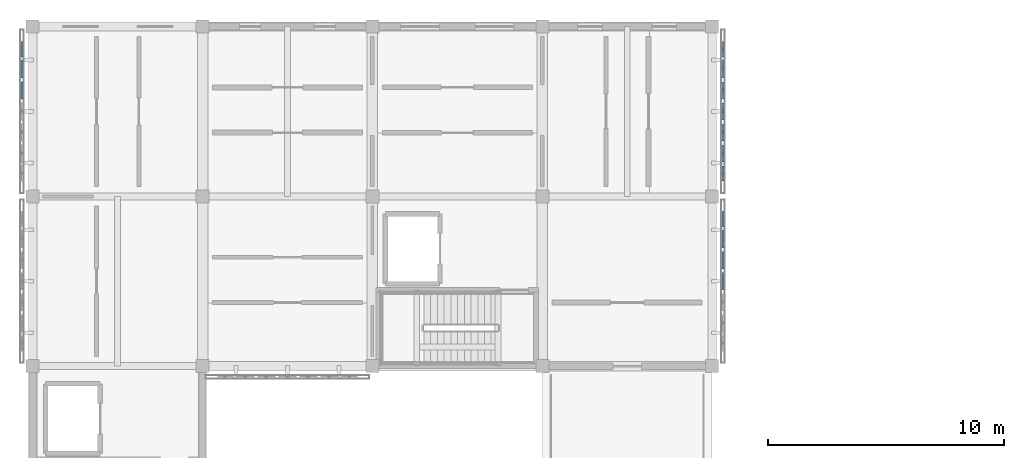
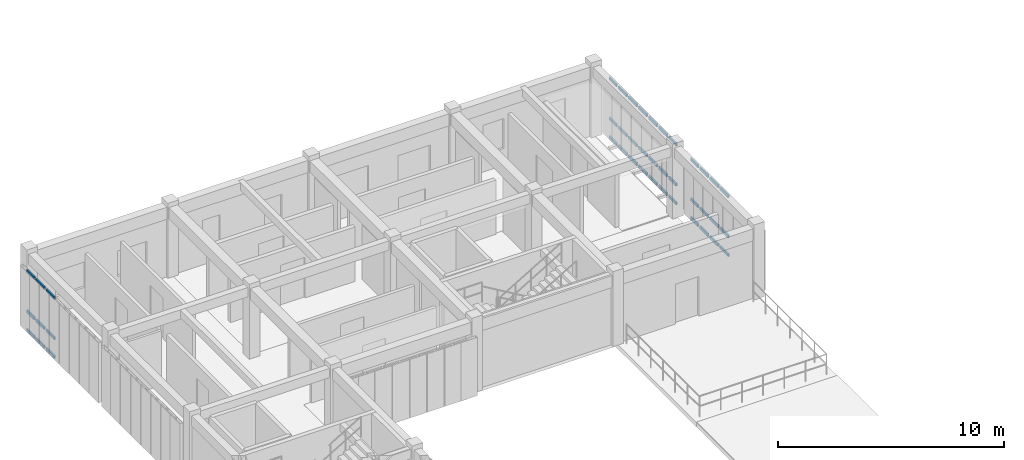
# One storey, part 10 of 33: 42 members, 3 elements without a shape of their own.
"""IFC4 building model written with IfcOpenShell, lengths in metres."""

from ifc_helpers import new_model, si_unit, direction, frame, origin, origin_2d, place, context, subcontext, project, spatial, hollow_rectangle, extrude, material, material_profile, profile_set, type_object, element, aggregate, save


model = new_model("IFC4")

# Units and contexts
model_context = context("Model", 3, precision=1e-05, world=origin(), true_north=direction((0.0, 1.0)))
body_context = subcontext(model_context, "Body", "Model", "MODEL_VIEW")
ifc_project = project(units=[si_unit("LENGTHUNIT", "METRE"), si_unit("AREAUNIT", "SQUARE_METRE"), si_unit("VOLUMEUNIT", "CUBIC_METRE"), si_unit("PLANEANGLEUNIT", "RADIAN"), si_unit("MASSUNIT", "GRAM", prefix="KILO")], contexts=[model_context])

# Site, building, storey
site_placement = place(None, origin())
site = spatial("IfcSite", under=ifc_project, at=site_placement, CompositionType="ELEMENT")
building_placement = place(site_placement, origin())
building = spatial("IfcBuilding", under=site, at=building_placement, Name="Aldebral Square Health Centre", CompositionType="ELEMENT")
storey_placement = place(building_placement, frame((0.0, 0.0, 17.550048828125)))
storey = spatial("IfcBuildingStorey", under=building, at=storey_placement, Name="L04", CompositionType="ELEMENT", Elevation=17.550048828125)

# Curtain wall, members
ifc_material_1 = material(Name="Aluminium and low-E solar glass", Category="aluminium")
curtain_wall_type = type_object("IfcCurtainWallType", Name="CW-FIN-SYS", PredefinedType="USERDEFINED", material=ifc_material_1)
curtain_wall_1_placement = place(storey_placement, origin())
curtain_wall_1 = element("IfcCurtainWall", 1, at=curtain_wall_1_placement, inside=storey, type_object=curtain_wall_type, Name="L04 V4 finned curtain wall L04-V4-00-15-W", ObjectType="SOLAR_CURTAIN_WALL", PredefinedType="USERDEFINED")
ifc_material_2 = material(Name="Anodised aluminium transom", Category="aluminium")
ifc_material_profile = material_profile(ifc_material_2, hollow_rectangle(XDim=0.074951171875, YDim=0.14990234375, WallThickness=0.00390625, at=origin_2d()), Name="CWT 75x150x4")
ifc_profile_set = profile_set([ifc_material_profile], Name="Anodised aluminium transom")
member_type = type_object("IfcMemberType", Name="CWT-STD", PredefinedType="USERDEFINED", material=ifc_profile_set)
member_1_placement = place(storey_placement, frame((-0.4599609375, 114.56005859375, 0.037353515625), z_axis=(0.0, -1.0, 0.0), x_axis=(1.0, 0.0, 0.0)))
member_1 = element("IfcMember", 2, at=member_1_placement, type_object=member_type, Name="CW1 transom 1.1", ObjectType="TRANSOM", PredefinedType="USERDEFINED", context=body_context, shape_type="SweptSolid", body=[
    extrude(hollow_rectangle(XDim=0.074951171875, YDim=0.14990234375, WallThickness=0.00390625, at=origin_2d()), origin(), (0.0, 0.0, 1.0), 0.6513671875),
])
member_2_placement = place(storey_placement, frame((-0.4599609375, 114.56005859375, 1.050048828125), z_axis=(0.0, -1.0, 0.0), x_axis=(1.0, 0.0, 0.0)))
member_2 = element("IfcMember", 3, at=member_2_placement, type_object=member_type, Name="CW1 transom 1.2", ObjectType="TRANSOM", PredefinedType="USERDEFINED", context=body_context, shape_type="SweptSolid", body=[
    extrude(hollow_rectangle(XDim=0.074951171875, YDim=0.14990234375, WallThickness=0.00390625, at=origin_2d()), origin(), (0.0, 0.0, 1.0), 0.6513671875),
])
member_3_placement = place(storey_placement, frame((-0.4599609375, 114.56005859375, 3.21240234375), z_axis=(0.0, -1.0, 0.0), x_axis=(1.0, 0.0, 0.0)))
member_3 = element("IfcMember", 4, at=member_3_placement, type_object=member_type, Name="CW1 transom 1.3", ObjectType="TRANSOM", PredefinedType="USERDEFINED", context=body_context, shape_type="SweptSolid", body=[
    extrude(hollow_rectangle(XDim=0.074951171875, YDim=0.14990234375, WallThickness=0.00390625, at=origin_2d()), origin(), (0.0, 0.0, 1.0), 0.6513671875),
])
member_4_placement = place(storey_placement, frame((-0.4599609375, 113.74853515625, 0.037353515625), z_axis=(0.0, -1.0, 0.0), x_axis=(1.0, 0.0, 0.0)))
member_4 = element("IfcMember", 5, at=member_4_placement, type_object=member_type, Name="CW1 transom 2.1", ObjectType="TRANSOM", PredefinedType="USERDEFINED", context=body_context, shape_type="SweptSolid", body=[
    extrude(hollow_rectangle(XDim=0.074951171875, YDim=0.14990234375, WallThickness=0.00390625, at=origin_2d()), origin(), (0.0, 0.0, 1.0), 0.7314453125),
])
member_5_placement = place(storey_placement, frame((-0.4599609375, 113.74853515625, 1.050048828125), z_axis=(0.0, -1.0, 0.0), x_axis=(1.0, 0.0, 0.0)))
member_5 = element("IfcMember", 6, at=member_5_placement, type_object=member_type, Name="CW1 transom 2.2", ObjectType="TRANSOM", PredefinedType="USERDEFINED", context=body_context, shape_type="SweptSolid", body=[
    extrude(hollow_rectangle(XDim=0.074951171875, YDim=0.14990234375, WallThickness=0.00390625, at=origin_2d()), origin(), (0.0, 0.0, 1.0), 0.7314453125),
])
member_6_placement = place(storey_placement, frame((-0.4599609375, 113.74853515625, 3.21240234375), z_axis=(0.0, -1.0, 0.0), x_axis=(1.0, 0.0, 0.0)))
member_6 = element("IfcMember", 7, at=member_6_placement, type_object=member_type, Name="CW1 transom 2.3", ObjectType="TRANSOM", PredefinedType="USERDEFINED", context=body_context, shape_type="SweptSolid", body=[
    extrude(hollow_rectangle(XDim=0.074951171875, YDim=0.14990234375, WallThickness=0.00390625, at=origin_2d()), origin(), (0.0, 0.0, 1.0), 0.7314453125),
])
member_7_placement = place(storey_placement, frame((-0.4599609375, 112.857177734375, 0.037353515625), z_axis=(0.0, -1.0, 0.0), x_axis=(1.0, 0.0, 0.0)))
member_7 = element("IfcMember", 8, at=member_7_placement, type_object=member_type, Name="CW1 transom 3.1", ObjectType="TRANSOM", PredefinedType="USERDEFINED", context=body_context, shape_type="SweptSolid", body=[
    extrude(hollow_rectangle(XDim=0.074951171875, YDim=0.14990234375, WallThickness=0.00390625, at=origin_2d()), origin(), (0.0, 0.0, 1.0), 0.7314453125),
])
member_8_placement = place(storey_placement, frame((-0.4599609375, 112.857177734375, 1.050048828125), z_axis=(0.0, -1.0, 0.0), x_axis=(1.0, 0.0, 0.0)))
member_8 = element("IfcMember", 9, at=member_8_placement, type_object=member_type, Name="CW1 transom 3.2", ObjectType="TRANSOM", PredefinedType="USERDEFINED", context=body_context, shape_type="SweptSolid", body=[
    extrude(hollow_rectangle(XDim=0.074951171875, YDim=0.14990234375, WallThickness=0.00390625, at=origin_2d()), origin(), (0.0, 0.0, 1.0), 0.7314453125),
])
member_9_placement = place(storey_placement, frame((-0.4599609375, 112.857177734375, 3.21240234375), z_axis=(0.0, -1.0, 0.0), x_axis=(1.0, 0.0, 0.0)))
member_9 = element("IfcMember", 10, at=member_9_placement, type_object=member_type, Name="CW1 transom 3.3", ObjectType="TRANSOM", PredefinedType="USERDEFINED", context=body_context, shape_type="SweptSolid", body=[
    extrude(hollow_rectangle(XDim=0.074951171875, YDim=0.14990234375, WallThickness=0.00390625, at=origin_2d()), origin(), (0.0, 0.0, 1.0), 0.7314453125),
])
aggregate(curtain_wall_1, [member_1, member_2, member_3, member_4, member_5, member_6, member_7, member_8, member_9])

curtain_wall_2_placement = place(storey_placement, origin())
curtain_wall_2 = element("IfcCurtainWall", 11, at=curtain_wall_2_placement, inside=storey, type_object=curtain_wall_type, Name="L04 V4 finned curtain wall L04-V4-03-14-E", ObjectType="SOLAR_CURTAIN_WALL", PredefinedType="USERDEFINED")
member_10_placement = place(storey_placement, frame((29.260009765625, 104.0341796875, 0.037353515625), z_axis=(0.0, 1.0, 0.0), x_axis=(-1.0, 0.0, 0.0)))
member_10 = element("IfcMember", 12, at=member_10_placement, type_object=member_type, Name="CW1 transom 4.1", ObjectType="TRANSOM", PredefinedType="USERDEFINED", context=body_context, shape_type="SweptSolid", body=[
    extrude(hollow_rectangle(XDim=0.074951171875, YDim=0.14990234375, WallThickness=0.00390625, at=origin_2d()), origin(), (0.0, 0.0, 1.0), 0.7314453125),
])
member_11_placement = place(storey_placement, frame((29.260009765625, 104.0341796875, 1.050048828125), z_axis=(0.0, 1.0, 0.0), x_axis=(-1.0, 0.0, 0.0)))
member_11 = element("IfcMember", 13, at=member_11_placement, type_object=member_type, Name="CW1 transom 4.2", ObjectType="TRANSOM", PredefinedType="USERDEFINED", context=body_context, shape_type="SweptSolid", body=[
    extrude(hollow_rectangle(XDim=0.074951171875, YDim=0.14990234375, WallThickness=0.00390625, at=origin_2d()), origin(), (0.0, 0.0, 1.0), 0.7314453125),
])
member_12_placement = place(storey_placement, frame((29.260009765625, 104.0341796875, 3.21240234375), z_axis=(0.0, 1.0, 0.0), x_axis=(-1.0, 0.0, 0.0)))
member_12 = element("IfcMember", 14, at=member_12_placement, type_object=member_type, Name="CW1 transom 4.3", ObjectType="TRANSOM", PredefinedType="USERDEFINED", context=body_context, shape_type="SweptSolid", body=[
    extrude(hollow_rectangle(XDim=0.074951171875, YDim=0.14990234375, WallThickness=0.00390625, at=origin_2d()), origin(), (0.0, 0.0, 1.0), 0.7314453125),
])
member_13_placement = place(storey_placement, frame((29.260009765625, 104.92578125, 0.037353515625), z_axis=(0.0, 1.0, 0.0), x_axis=(-1.0, 0.0, 0.0)))
member_13 = element("IfcMember", 15, at=member_13_placement, type_object=member_type, Name="CW1 transom 5.1", ObjectType="TRANSOM", PredefinedType="USERDEFINED", context=body_context, shape_type="SweptSolid", body=[
    extrude(hollow_rectangle(XDim=0.074951171875, YDim=0.14990234375, WallThickness=0.00390625, at=origin_2d()), origin(), (0.0, 0.0, 1.0), 0.7314453125),
])
member_14_placement = place(storey_placement, frame((29.260009765625, 104.92578125, 1.050048828125), z_axis=(0.0, 1.0, 0.0), x_axis=(-1.0, 0.0, 0.0)))
member_14 = element("IfcMember", 16, at=member_14_placement, type_object=member_type, Name="CW1 transom 5.2", ObjectType="TRANSOM", PredefinedType="USERDEFINED", context=body_context, shape_type="SweptSolid", body=[
    extrude(hollow_rectangle(XDim=0.074951171875, YDim=0.14990234375, WallThickness=0.00390625, at=origin_2d()), origin(), (0.0, 0.0, 1.0), 0.7314453125),
])
member_15_placement = place(storey_placement, frame((29.260009765625, 104.92578125, 3.21240234375), z_axis=(0.0, 1.0, 0.0), x_axis=(-1.0, 0.0, 0.0)))
member_15 = element("IfcMember", 17, at=member_15_placement, type_object=member_type, Name="CW1 transom 5.3", ObjectType="TRANSOM", PredefinedType="USERDEFINED", context=body_context, shape_type="SweptSolid", body=[
    extrude(hollow_rectangle(XDim=0.074951171875, YDim=0.14990234375, WallThickness=0.00390625, at=origin_2d()), origin(), (0.0, 0.0, 1.0), 0.7314453125),
])
member_16_placement = place(storey_placement, frame((29.260009765625, 105.817138671875, 0.037353515625), z_axis=(0.0, 1.0, 0.0), x_axis=(-1.0, 0.0, 0.0)))
member_16 = element("IfcMember", 18, at=member_16_placement, type_object=member_type, Name="CW1 transom 6.1", ObjectType="TRANSOM", PredefinedType="USERDEFINED", context=body_context, shape_type="SweptSolid", body=[
    extrude(hollow_rectangle(XDim=0.074951171875, YDim=0.14990234375, WallThickness=0.00390625, at=origin_2d()), origin(), (0.0, 0.0, 1.0), 0.7314453125),
])
member_17_placement = place(storey_placement, frame((29.260009765625, 105.817138671875, 1.050048828125), z_axis=(0.0, 1.0, 0.0), x_axis=(-1.0, 0.0, 0.0)))
member_17 = element("IfcMember", 19, at=member_17_placement, type_object=member_type, Name="CW1 transom 6.2", ObjectType="TRANSOM", PredefinedType="USERDEFINED", context=body_context, shape_type="SweptSolid", body=[
    extrude(hollow_rectangle(XDim=0.074951171875, YDim=0.14990234375, WallThickness=0.00390625, at=origin_2d()), origin(), (0.0, 0.0, 1.0), 0.7314453125),
])
member_18_placement = place(storey_placement, frame((29.260009765625, 105.817138671875, 3.21240234375), z_axis=(0.0, 1.0, 0.0), x_axis=(-1.0, 0.0, 0.0)))
member_18 = element("IfcMember", 20, at=member_18_placement, type_object=member_type, Name="CW1 transom 6.3", ObjectType="TRANSOM", PredefinedType="USERDEFINED", context=body_context, shape_type="SweptSolid", body=[
    extrude(hollow_rectangle(XDim=0.074951171875, YDim=0.14990234375, WallThickness=0.00390625, at=origin_2d()), origin(), (0.0, 0.0, 1.0), 0.7314453125),
])
member_19_placement = place(storey_placement, frame((29.260009765625, 106.70849609375, 0.037353515625), z_axis=(0.0, 1.0, 0.0), x_axis=(-1.0, 0.0, 0.0)))
member_19 = element("IfcMember", 21, at=member_19_placement, type_object=member_type, Name="CW1 transom 7.1", ObjectType="TRANSOM", PredefinedType="USERDEFINED", context=body_context, shape_type="SweptSolid", body=[
    extrude(hollow_rectangle(XDim=0.074951171875, YDim=0.14990234375, WallThickness=0.00390625, at=origin_2d()), origin(), (0.0, 0.0, 1.0), 0.651611328125),
])
member_20_placement = place(storey_placement, frame((29.260009765625, 106.70849609375, 1.050048828125), z_axis=(0.0, 1.0, 0.0), x_axis=(-1.0, 0.0, 0.0)))
member_20 = element("IfcMember", 22, at=member_20_placement, type_object=member_type, Name="CW1 transom 7.2", ObjectType="TRANSOM", PredefinedType="USERDEFINED", context=body_context, shape_type="SweptSolid", body=[
    extrude(hollow_rectangle(XDim=0.074951171875, YDim=0.14990234375, WallThickness=0.00390625, at=origin_2d()), origin(), (0.0, 0.0, 1.0), 0.651611328125),
])
member_21_placement = place(storey_placement, frame((29.260009765625, 106.70849609375, 3.21240234375), z_axis=(0.0, 1.0, 0.0), x_axis=(-1.0, 0.0, 0.0)))
member_21 = element("IfcMember", 23, at=member_21_placement, type_object=member_type, Name="CW1 transom 7.3", ObjectType="TRANSOM", PredefinedType="USERDEFINED", context=body_context, shape_type="SweptSolid", body=[
    extrude(hollow_rectangle(XDim=0.074951171875, YDim=0.14990234375, WallThickness=0.00390625, at=origin_2d()), origin(), (0.0, 0.0, 1.0), 0.651611328125),
])
aggregate(curtain_wall_2, [member_10, member_11, member_12, member_13, member_14, member_15, member_16, member_17, member_18, member_19, member_20, member_21])

curtain_wall_3_placement = place(storey_placement, origin())
curtain_wall_3 = element("IfcCurtainWall", 24, at=curtain_wall_3_placement, inside=storey, type_object=curtain_wall_type, Name="L04 V4 finned curtain wall L04-V4-03-15-E", ObjectType="SOLAR_CURTAIN_WALL", PredefinedType="USERDEFINED")
member_22_placement = place(storey_placement, frame((29.260009765625, 108.639892578125, 0.037353515625), z_axis=(0.0, 1.0, 0.0), x_axis=(-1.0, 0.0, 0.0)))
member_22 = element("IfcMember", 25, at=member_22_placement, type_object=member_type, Name="CW1 transom 1.1", ObjectType="TRANSOM", PredefinedType="USERDEFINED", context=body_context, shape_type="SweptSolid", body=[
    extrude(hollow_rectangle(XDim=0.074951171875, YDim=0.14990234375, WallThickness=0.00390625, at=origin_2d()), origin(), (0.0, 0.0, 1.0), 0.651611328125),
])
member_23_placement = place(storey_placement, frame((29.260009765625, 108.639892578125, 1.050048828125), z_axis=(0.0, 1.0, 0.0), x_axis=(-1.0, 0.0, 0.0)))
member_23 = element("IfcMember", 26, at=member_23_placement, type_object=member_type, Name="CW1 transom 1.2", ObjectType="TRANSOM", PredefinedType="USERDEFINED", context=body_context, shape_type="SweptSolid", body=[
    extrude(hollow_rectangle(XDim=0.074951171875, YDim=0.14990234375, WallThickness=0.00390625, at=origin_2d()), origin(), (0.0, 0.0, 1.0), 0.651611328125),
])
member_24_placement = place(storey_placement, frame((29.260009765625, 108.639892578125, 3.21240234375), z_axis=(0.0, 1.0, 0.0), x_axis=(-1.0, 0.0, 0.0)))
member_24 = element("IfcMember", 27, at=member_24_placement, type_object=member_type, Name="CW1 transom 1.3", ObjectType="TRANSOM", PredefinedType="USERDEFINED", context=body_context, shape_type="SweptSolid", body=[
    extrude(hollow_rectangle(XDim=0.074951171875, YDim=0.14990234375, WallThickness=0.00390625, at=origin_2d()), origin(), (0.0, 0.0, 1.0), 0.651611328125),
])
member_25_placement = place(storey_placement, frame((29.260009765625, 109.451416015625, 0.037353515625), z_axis=(0.0, 1.0, 0.0), x_axis=(-1.0, 0.0, 0.0)))
member_25 = element("IfcMember", 28, at=member_25_placement, type_object=member_type, Name="CW1 transom 2.1", ObjectType="TRANSOM", PredefinedType="USERDEFINED", context=body_context, shape_type="SweptSolid", body=[
    extrude(hollow_rectangle(XDim=0.074951171875, YDim=0.14990234375, WallThickness=0.00390625, at=origin_2d()), origin(), (0.0, 0.0, 1.0), 0.7314453125),
])
member_26_placement = place(storey_placement, frame((29.260009765625, 109.451416015625, 1.050048828125), z_axis=(0.0, 1.0, 0.0), x_axis=(-1.0, 0.0, 0.0)))
member_26 = element("IfcMember", 29, at=member_26_placement, type_object=member_type, Name="CW1 transom 2.2", ObjectType="TRANSOM", PredefinedType="USERDEFINED", context=body_context, shape_type="SweptSolid", body=[
    extrude(hollow_rectangle(XDim=0.074951171875, YDim=0.14990234375, WallThickness=0.00390625, at=origin_2d()), origin(), (0.0, 0.0, 1.0), 0.7314453125),
])
member_27_placement = place(storey_placement, frame((29.260009765625, 109.451416015625, 3.21240234375), z_axis=(0.0, 1.0, 0.0), x_axis=(-1.0, 0.0, 0.0)))
member_27 = element("IfcMember", 30, at=member_27_placement, type_object=member_type, Name="CW1 transom 2.3", ObjectType="TRANSOM", PredefinedType="USERDEFINED", context=body_context, shape_type="SweptSolid", body=[
    extrude(hollow_rectangle(XDim=0.074951171875, YDim=0.14990234375, WallThickness=0.00390625, at=origin_2d()), origin(), (0.0, 0.0, 1.0), 0.7314453125),
])
member_28_placement = place(storey_placement, frame((29.260009765625, 110.3427734375, 0.037353515625), z_axis=(0.0, 1.0, 0.0), x_axis=(-1.0, 0.0, 0.0)))
member_28 = element("IfcMember", 31, at=member_28_placement, type_object=member_type, Name="CW1 transom 3.1", ObjectType="TRANSOM", PredefinedType="USERDEFINED", context=body_context, shape_type="SweptSolid", body=[
    extrude(hollow_rectangle(XDim=0.074951171875, YDim=0.14990234375, WallThickness=0.00390625, at=origin_2d()), origin(), (0.0, 0.0, 1.0), 0.7314453125),
])
member_29_placement = place(storey_placement, frame((29.260009765625, 110.3427734375, 1.050048828125), z_axis=(0.0, 1.0, 0.0), x_axis=(-1.0, 0.0, 0.0)))
member_29 = element("IfcMember", 32, at=member_29_placement, type_object=member_type, Name="CW1 transom 3.2", ObjectType="TRANSOM", PredefinedType="USERDEFINED", context=body_context, shape_type="SweptSolid", body=[
    extrude(hollow_rectangle(XDim=0.074951171875, YDim=0.14990234375, WallThickness=0.00390625, at=origin_2d()), origin(), (0.0, 0.0, 1.0), 0.7314453125),
])
member_30_placement = place(storey_placement, frame((29.260009765625, 110.3427734375, 3.21240234375), z_axis=(0.0, 1.0, 0.0), x_axis=(-1.0, 0.0, 0.0)))
member_30 = element("IfcMember", 33, at=member_30_placement, type_object=member_type, Name="CW1 transom 3.3", ObjectType="TRANSOM", PredefinedType="USERDEFINED", context=body_context, shape_type="SweptSolid", body=[
    extrude(hollow_rectangle(XDim=0.074951171875, YDim=0.14990234375, WallThickness=0.00390625, at=origin_2d()), origin(), (0.0, 0.0, 1.0), 0.7314453125),
])
member_31_placement = place(storey_placement, frame((29.260009765625, 111.234375, 0.037353515625), z_axis=(0.0, 1.0, 0.0), x_axis=(-1.0, 0.0, 0.0)))
member_31 = element("IfcMember", 34, at=member_31_placement, type_object=member_type, Name="CW1 transom 4.1", ObjectType="TRANSOM", PredefinedType="USERDEFINED", context=body_context, shape_type="SweptSolid", body=[
    extrude(hollow_rectangle(XDim=0.074951171875, YDim=0.14990234375, WallThickness=0.00390625, at=origin_2d()), origin(), (0.0, 0.0, 1.0), 0.7314453125),
])
member_32_placement = place(storey_placement, frame((29.260009765625, 111.234375, 1.050048828125), z_axis=(0.0, 1.0, 0.0), x_axis=(-1.0, 0.0, 0.0)))
member_32 = element("IfcMember", 35, at=member_32_placement, type_object=member_type, Name="CW1 transom 4.2", ObjectType="TRANSOM", PredefinedType="USERDEFINED", context=body_context, shape_type="SweptSolid", body=[
    extrude(hollow_rectangle(XDim=0.074951171875, YDim=0.14990234375, WallThickness=0.00390625, at=origin_2d()), origin(), (0.0, 0.0, 1.0), 0.7314453125),
])
member_33_placement = place(storey_placement, frame((29.260009765625, 111.234375, 3.21240234375), z_axis=(0.0, 1.0, 0.0), x_axis=(-1.0, 0.0, 0.0)))
member_33 = element("IfcMember", 36, at=member_33_placement, type_object=member_type, Name="CW1 transom 4.3", ObjectType="TRANSOM", PredefinedType="USERDEFINED", context=body_context, shape_type="SweptSolid", body=[
    extrude(hollow_rectangle(XDim=0.074951171875, YDim=0.14990234375, WallThickness=0.00390625, at=origin_2d()), origin(), (0.0, 0.0, 1.0), 0.7314453125),
])
member_34_placement = place(storey_placement, frame((29.260009765625, 112.125732421875, 0.037353515625), z_axis=(0.0, 1.0, 0.0), x_axis=(-1.0, 0.0, 0.0)))
member_34 = element("IfcMember", 37, at=member_34_placement, type_object=member_type, Name="CW1 transom 5.1", ObjectType="TRANSOM", PredefinedType="USERDEFINED", context=body_context, shape_type="SweptSolid", body=[
    extrude(hollow_rectangle(XDim=0.074951171875, YDim=0.14990234375, WallThickness=0.00390625, at=origin_2d()), origin(), (0.0, 0.0, 1.0), 0.7314453125),
])
member_35_placement = place(storey_placement, frame((29.260009765625, 112.125732421875, 1.050048828125), z_axis=(0.0, 1.0, 0.0), x_axis=(-1.0, 0.0, 0.0)))
member_35 = element("IfcMember", 38, at=member_35_placement, type_object=member_type, Name="CW1 transom 5.2", ObjectType="TRANSOM", PredefinedType="USERDEFINED", context=body_context, shape_type="SweptSolid", body=[
    extrude(hollow_rectangle(XDim=0.074951171875, YDim=0.14990234375, WallThickness=0.00390625, at=origin_2d()), origin(), (0.0, 0.0, 1.0), 0.7314453125),
])
member_36_placement = place(storey_placement, frame((29.260009765625, 112.125732421875, 3.21240234375), z_axis=(0.0, 1.0, 0.0), x_axis=(-1.0, 0.0, 0.0)))
member_36 = element("IfcMember", 39, at=member_36_placement, type_object=member_type, Name="CW1 transom 5.3", ObjectType="TRANSOM", PredefinedType="USERDEFINED", context=body_context, shape_type="SweptSolid", body=[
    extrude(hollow_rectangle(XDim=0.074951171875, YDim=0.14990234375, WallThickness=0.00390625, at=origin_2d()), origin(), (0.0, 0.0, 1.0), 0.7314453125),
])
member_37_placement = place(storey_placement, frame((29.260009765625, 113.01708984375, 0.037353515625), z_axis=(0.0, 1.0, 0.0), x_axis=(-1.0, 0.0, 0.0)))
member_37 = element("IfcMember", 40, at=member_37_placement, type_object=member_type, Name="CW1 transom 6.1", ObjectType="TRANSOM", PredefinedType="USERDEFINED", context=body_context, shape_type="SweptSolid", body=[
    extrude(hollow_rectangle(XDim=0.074951171875, YDim=0.14990234375, WallThickness=0.00390625, at=origin_2d()), origin(), (0.0, 0.0, 1.0), 0.7314453125),
])
member_38_placement = place(storey_placement, frame((29.260009765625, 113.01708984375, 1.050048828125), z_axis=(0.0, 1.0, 0.0), x_axis=(-1.0, 0.0, 0.0)))
member_38 = element("IfcMember", 41, at=member_38_placement, type_object=member_type, Name="CW1 transom 6.2", ObjectType="TRANSOM", PredefinedType="USERDEFINED", context=body_context, shape_type="SweptSolid", body=[
    extrude(hollow_rectangle(XDim=0.074951171875, YDim=0.14990234375, WallThickness=0.00390625, at=origin_2d()), origin(), (0.0, 0.0, 1.0), 0.7314453125),
])
member_39_placement = place(storey_placement, frame((29.260009765625, 113.01708984375, 3.21240234375), z_axis=(0.0, 1.0, 0.0), x_axis=(-1.0, 0.0, 0.0)))
member_39 = element("IfcMember", 42, at=member_39_placement, type_object=member_type, Name="CW1 transom 6.3", ObjectType="TRANSOM", PredefinedType="USERDEFINED", context=body_context, shape_type="SweptSolid", body=[
    extrude(hollow_rectangle(XDim=0.074951171875, YDim=0.14990234375, WallThickness=0.00390625, at=origin_2d()), origin(), (0.0, 0.0, 1.0), 0.7314453125),
])
member_40_placement = place(storey_placement, frame((29.260009765625, 113.90869140625, 0.037353515625), z_axis=(0.0, 1.0, 0.0), x_axis=(-1.0, 0.0, 0.0)))
member_40 = element("IfcMember", 43, at=member_40_placement, type_object=member_type, Name="CW1 transom 7.1", ObjectType="TRANSOM", PredefinedType="USERDEFINED", context=body_context, shape_type="SweptSolid", body=[
    extrude(hollow_rectangle(XDim=0.074951171875, YDim=0.14990234375, WallThickness=0.00390625, at=origin_2d()), origin(), (0.0, 0.0, 1.0), 0.6513671875),
])
member_41_placement = place(storey_placement, frame((29.260009765625, 113.90869140625, 1.050048828125), z_axis=(0.0, 1.0, 0.0), x_axis=(-1.0, 0.0, 0.0)))
member_41 = element("IfcMember", 44, at=member_41_placement, type_object=member_type, Name="CW1 transom 7.2", ObjectType="TRANSOM", PredefinedType="USERDEFINED", context=body_context, shape_type="SweptSolid", body=[
    extrude(hollow_rectangle(XDim=0.074951171875, YDim=0.14990234375, WallThickness=0.00390625, at=origin_2d()), origin(), (0.0, 0.0, 1.0), 0.6513671875),
])
member_42_placement = place(storey_placement, frame((29.260009765625, 113.90869140625, 3.21240234375), z_axis=(0.0, 1.0, 0.0), x_axis=(-1.0, 0.0, 0.0)))
member_42 = element("IfcMember", 45, at=member_42_placement, type_object=member_type, Name="CW1 transom 7.3", ObjectType="TRANSOM", PredefinedType="USERDEFINED", context=body_context, shape_type="SweptSolid", body=[
    extrude(hollow_rectangle(XDim=0.074951171875, YDim=0.14990234375, WallThickness=0.00390625, at=origin_2d()), origin(), (0.0, 0.0, 1.0), 0.6513671875),
])
aggregate(curtain_wall_3, [member_22, member_23, member_24, member_25, member_26, member_27, member_28, member_29, member_30, member_31, member_32, member_33, member_34, member_35, member_36, member_37, member_38, member_39, member_40, member_41, member_42])

save(model, "model.ifc")
